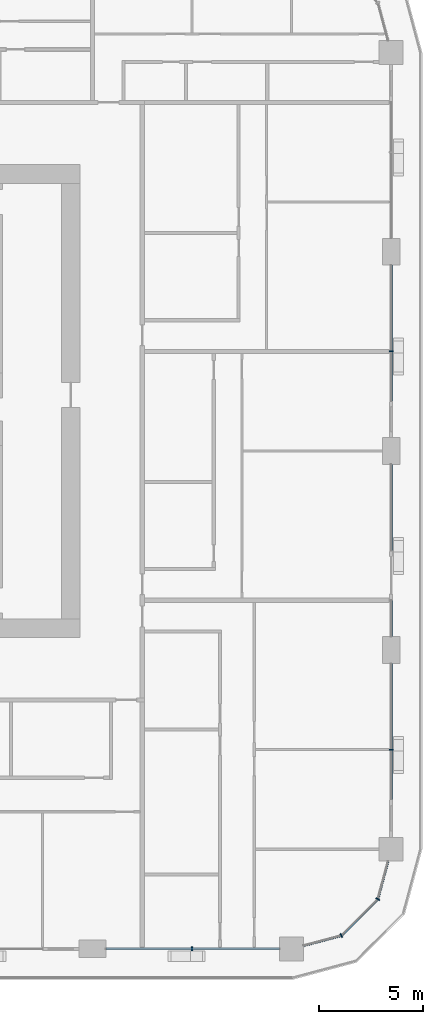
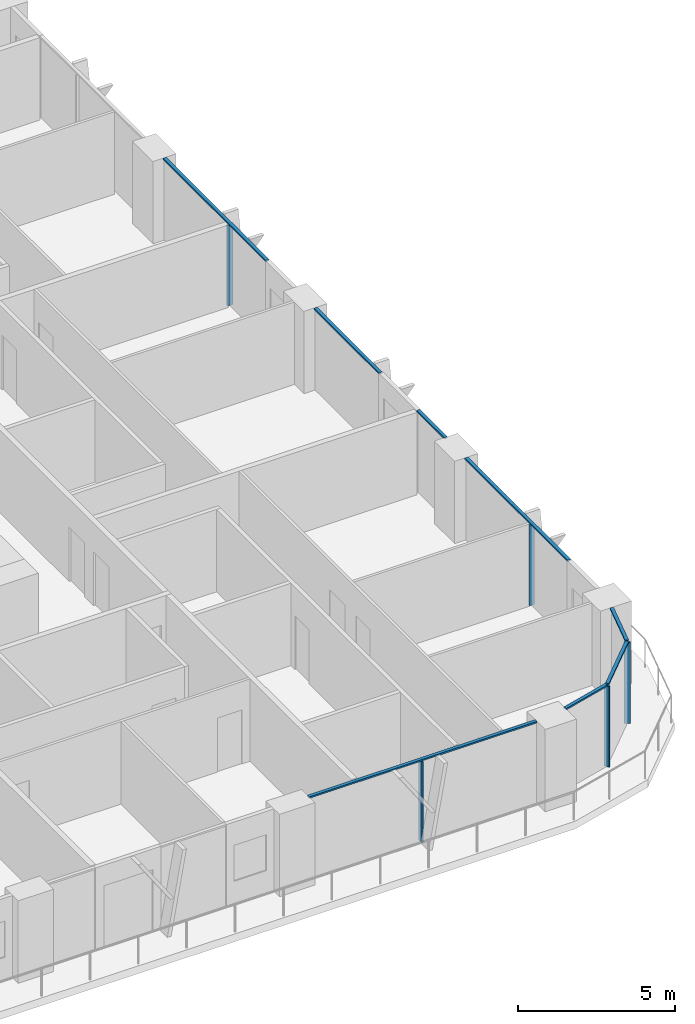
# One storey, part 4 of 22: 13 members, 5 elements without a shape of their own.
"""IFC4 building model written with IfcOpenShell, lengths in metres."""

from ifc_helpers import new_model, si_unit, direction, frame, origin, origin_2d, place, context, subcontext, project, spatial, rectangle, extrude, material, layer, layer_set, material_profile, profile_set, type_object, element, aggregate, save


model = new_model("IFC4")

# Units and contexts
model_context = context("Model", 3, precision=1e-05, world=origin(), true_north=direction((0.0, 1.0)))
body_context = subcontext(model_context, "Body", "Model", "MODEL_VIEW")
ifc_project = project(units=[si_unit("LENGTHUNIT", "METRE"), si_unit("AREAUNIT", "SQUARE_METRE"), si_unit("VOLUMEUNIT", "CUBIC_METRE"), si_unit("PLANEANGLEUNIT", "RADIAN"), si_unit("MASSUNIT", "GRAM", prefix="KILO")], contexts=[model_context])

# Site, building, storey
site_placement = place(None, origin())
site = spatial("IfcSite", under=ifc_project, at=site_placement, CompositionType="ELEMENT")
building_placement = place(site_placement, origin())
building = spatial("IfcBuilding", under=site, at=building_placement, Name="Madar Terraces", CompositionType="ELEMENT")
storey_placement = place(building_placement, frame((0.0, 0.0, 59.300048828125)))
storey = spatial("IfcBuildingStorey", under=building, at=storey_placement, Name="L14", CompositionType="ELEMENT", Elevation=59.300048828125)

# Curtain wall, member
ifc_material_1 = material(Name="Glass, ceramic frit dark grey, with black aluminium frame", Category="aluminium")
ifc_layer = layer(ifc_material_1, 0.199951171875)
ifc_layer_set = layer_set([ifc_layer], Name="Facade curtain wall, fritted glass")
curtain_wall_type = type_object("IfcCurtainWallType", Name="Facade curtain wall, fritted glass", PredefinedType="NOTDEFINED", material=ifc_layer_set)
curtain_wall_1_placement = place(storey_placement, origin())
curtain_wall_1 = element("IfcCurtainWall", 1, at=curtain_wall_1_placement, inside=storey, type_object=curtain_wall_type, Name="Outer skin curtain wall south bay 5", PredefinedType="NOTDEFINED")
ifc_material_2 = material(Name="Aluminium, black anodised", Category="aluminium")
ifc_material_profile_1 = material_profile(ifc_material_2, rectangle(XDim=0.199951171875, YDim=0.06005859375, at=origin_2d()), Name="Facade mullion 60x200")
ifc_profile_set_1 = profile_set([ifc_material_profile_1], Name="Aluminium, black anodised")
member_type_1 = type_object("IfcMemberType", Name="Facade mullion 60x200", PredefinedType="MULLION", material=ifc_profile_set_1)
member_1_placement = place(storey_placement, frame((52.800048828125, 0.0, 0.0), z_axis=(0.0, 0.0, 1.0), x_axis=(0.0, 1.0, 0.0)))
member_1 = element("IfcMember", 2, at=member_1_placement, type_object=member_type_1, Name="Mullion 1", PredefinedType="MULLION", context=body_context, shape_type="SweptSolid", body=[
    extrude(rectangle(XDim=0.199951171875, YDim=0.06005859375, at=origin_2d()), origin(), (0.0, 0.0, 1.0), 3.139892578125),
])

curtain_wall_2_placement = place(storey_placement, origin())
curtain_wall_2 = element("IfcCurtainWall", 3, at=curtain_wall_2_placement, inside=storey, type_object=curtain_wall_type, Name="Outer skin curtain wall east bay 1", PredefinedType="NOTDEFINED")
member_2_placement = place(storey_placement, frame((62.39990234375, 9.60009765625, 0.0), z_axis=(0.0, 0.0, 1.0), x_axis=(-1.0, 0.0, 0.0)))
member_2 = element("IfcMember", 4, at=member_2_placement, type_object=member_type_1, Name="Mullion 1", PredefinedType="MULLION", context=body_context, shape_type="SweptSolid", body=[
    extrude(rectangle(XDim=0.199951171875, YDim=0.06005859375, at=origin_2d()), origin(), (0.0, 0.0, 1.0), 3.139892578125),
])

curtain_wall_3_placement = place(storey_placement, origin())
curtain_wall_3 = element("IfcCurtainWall", 5, at=curtain_wall_3_placement, inside=storey, type_object=curtain_wall_type, Name="Outer skin curtain wall east bay 3", PredefinedType="NOTDEFINED")
member_3_placement = place(storey_placement, frame((62.39990234375, 28.800048828125, 0.0), z_axis=(0.0, 0.0, 1.0), x_axis=(-1.0, 0.0, 0.0)))
member_3 = element("IfcMember", 6, at=member_3_placement, type_object=member_type_1, Name="Mullion 1", PredefinedType="MULLION", context=body_context, shape_type="SweptSolid", body=[
    extrude(rectangle(XDim=0.199951171875, YDim=0.06005859375, at=origin_2d()), origin(), (0.0, 0.0, 1.0), 3.139892578125),
])

# Curtain wall, members
curtain_wall_4_placement = place(storey_placement, origin())
curtain_wall_4 = element("IfcCurtainWall", 7, at=curtain_wall_4_placement, inside=storey, type_object=curtain_wall_type, Name="Outer skin curtain wall south-east corner", PredefinedType="NOTDEFINED")
member_4_placement = place(storey_placement, frame((60.0, 0.64306640625, 0.0), z_axis=(0.0, 0.0, 1.0), x_axis=(-0.499999989586, 0.866025409797, 0.0)))
member_4 = element("IfcMember", 8, at=member_4_placement, type_object=member_type_1, Name="Mullion 1", PredefinedType="MULLION", context=body_context, shape_type="SweptSolid", body=[
    extrude(rectangle(XDim=0.199951171875, YDim=0.06005859375, at=origin_2d()), origin(), (0.0, 0.0, 1.0), 3.139892578125),
])
member_5_placement = place(storey_placement, frame((61.7568359375, 2.39990234375, 0.0), z_axis=(0.0, 0.0, 1.0), x_axis=(-0.866025409797, 0.499999989586, 0.0)))
member_5 = element("IfcMember", 9, at=member_5_placement, type_object=member_type_1, Name="Mullion 2", PredefinedType="MULLION", context=body_context, shape_type="SweptSolid", body=[
    extrude(rectangle(XDim=0.199951171875, YDim=0.06005859375, at=origin_2d()), origin(), (0.0, 0.0, 1.0), 3.139892578125),
])

# Member
ifc_material_3 = material(Name="Aluminium, black anodised", Category="aluminium")
ifc_material_profile_2 = material_profile(ifc_material_3, rectangle(XDim=0.1201171875, YDim=0.06005859375, at=origin_2d()), Name="Facade transom 60x120")
ifc_profile_set_2 = profile_set([ifc_material_profile_2], Name="Aluminium, black anodised")
member_type_2 = type_object("IfcMemberType", Name="Facade transom 60x120", PredefinedType="USERDEFINED", material=ifc_profile_set_2)
member_6_placement = place(storey_placement, frame((48.64990234375, 0.0, 3.169921875), z_axis=(1.0, 0.0, 0.0), x_axis=(0.0, 1.0, 0.0)))
member_6 = element("IfcMember", 10, at=member_6_placement, type_object=member_type_2, Name="Transom 1", ObjectType="TRANSOM", PredefinedType="USERDEFINED", context=body_context, shape_type="SweptSolid", body=[
    extrude(rectangle(XDim=0.1201171875, YDim=0.06005859375, at=origin_2d()), origin(), (0.0, 0.0, 1.0), 8.375),
])

aggregate(curtain_wall_1, [member_1, member_6])

member_7_placement = place(storey_placement, frame((62.39990234375, 7.199951171875, 3.169921875), z_axis=(0.0, 1.0, 0.0), x_axis=(-1.0, 0.0, 0.0)))
member_7 = element("IfcMember", 11, at=member_7_placement, type_object=member_type_2, Name="Transom 1", ObjectType="TRANSOM", PredefinedType="USERDEFINED", context=body_context, shape_type="SweptSolid", body=[
    extrude(rectangle(XDim=0.1201171875, YDim=0.06005859375, at=origin_2d()), origin(), (0.0, 0.0, 1.0), 6.550048828125),
])

aggregate(curtain_wall_2, [member_2, member_7])

# Curtain wall, members
curtain_wall_5_placement = place(storey_placement, origin())
curtain_wall_5 = element("IfcCurtainWall", 12, at=curtain_wall_5_placement, inside=storey, type_object=curtain_wall_type, Name="Outer skin curtain wall east bay 2", PredefinedType="NOTDEFINED")
member_8_placement = place(storey_placement, frame((62.39990234375, 15.050048828125, 3.169921875), z_axis=(0.0, 1.0, 0.0), x_axis=(-1.0, 0.0, 0.0)))
member_8 = element("IfcMember", 13, at=member_8_placement, type_object=member_type_2, Name="Transom 1", ObjectType="TRANSOM", PredefinedType="USERDEFINED", context=body_context, shape_type="SweptSolid", body=[
    extrude(rectangle(XDim=0.1201171875, YDim=0.06005859375, at=origin_2d()), origin(), (0.0, 0.0, 1.0), 1.75),
])
member_9_placement = place(storey_placement, frame((62.39990234375, 19.199951171875, 3.169921875), z_axis=(0.0, 1.0, 0.0), x_axis=(-1.0, 0.0, 0.0)))
member_9 = element("IfcMember", 14, at=member_9_placement, type_object=member_type_2, Name="Transom 2", ObjectType="TRANSOM", PredefinedType="USERDEFINED", context=body_context, shape_type="SweptSolid", body=[
    extrude(rectangle(XDim=0.1201171875, YDim=0.06005859375, at=origin_2d()), origin(), (0.0, 0.0, 1.0), 4.150146484375),
])
aggregate(curtain_wall_5, [member_8, member_9])

# Member
member_10_placement = place(storey_placement, frame((62.39990234375, 26.39990234375, 3.169921875), z_axis=(0.0, 1.0, 0.0), x_axis=(-1.0, 0.0, 0.0)))
member_10 = element("IfcMember", 15, at=member_10_placement, type_object=member_type_2, Name="Transom 1", ObjectType="TRANSOM", PredefinedType="USERDEFINED", context=body_context, shape_type="SweptSolid", body=[
    extrude(rectangle(XDim=0.1201171875, YDim=0.06005859375, at=origin_2d()), origin(), (0.0, 0.0, 1.0), 6.550048828125),
])

aggregate(curtain_wall_3, [member_3, member_10])

member_11_placement = place(storey_placement, frame((58.175048828125, 0.154052734375, 3.169921875), z_axis=(0.965926950947, 0.258814847786, 0.0), x_axis=(-0.258814847786, 0.965926950947, 0.0)))
member_11 = element("IfcMember", 16, at=member_11_placement, type_object=member_type_2, Name="Transom 1", ObjectType="TRANSOM", PredefinedType="USERDEFINED", context=body_context, shape_type="SweptSolid", body=[
    extrude(rectangle(XDim=0.1201171875, YDim=0.06005859375, at=origin_2d()), origin(), (0.0, 0.0, 1.0), 1.859130859375),
])

member_12_placement = place(storey_placement, frame((60.021240234375, 0.664306640625, 3.169921875), z_axis=(0.707056433593, 0.707157125196, 0.0), x_axis=(-0.707157125196, 0.707056433593, 0.0)))
member_12 = element("IfcMember", 17, at=member_12_placement, type_object=member_type_2, Name="Transom 2", ObjectType="TRANSOM", PredefinedType="USERDEFINED", context=body_context, shape_type="SweptSolid", body=[
    extrude(rectangle(XDim=0.1201171875, YDim=0.06005859375, at=origin_2d()), origin(), (0.0, 0.0, 1.0), 2.424560546875),
])

member_13_placement = place(storey_placement, frame((61.7646484375, 2.428955078125, 3.169921875), z_axis=(0.258782024434, 0.965935745187, 0.0), x_axis=(-0.965935745187, 0.258782024434, 0.0)))
member_13 = element("IfcMember", 18, at=member_13_placement, type_object=member_type_2, Name="Transom 3", ObjectType="TRANSOM", PredefinedType="USERDEFINED", context=body_context, shape_type="SweptSolid", body=[
    extrude(rectangle(XDim=0.1201171875, YDim=0.06005859375, at=origin_2d()), origin(), (0.0, 0.0, 1.0), 1.859375),
])

aggregate(curtain_wall_4, [member_4, member_11, member_5, member_12, member_13])

save(model, "model.ifc")
